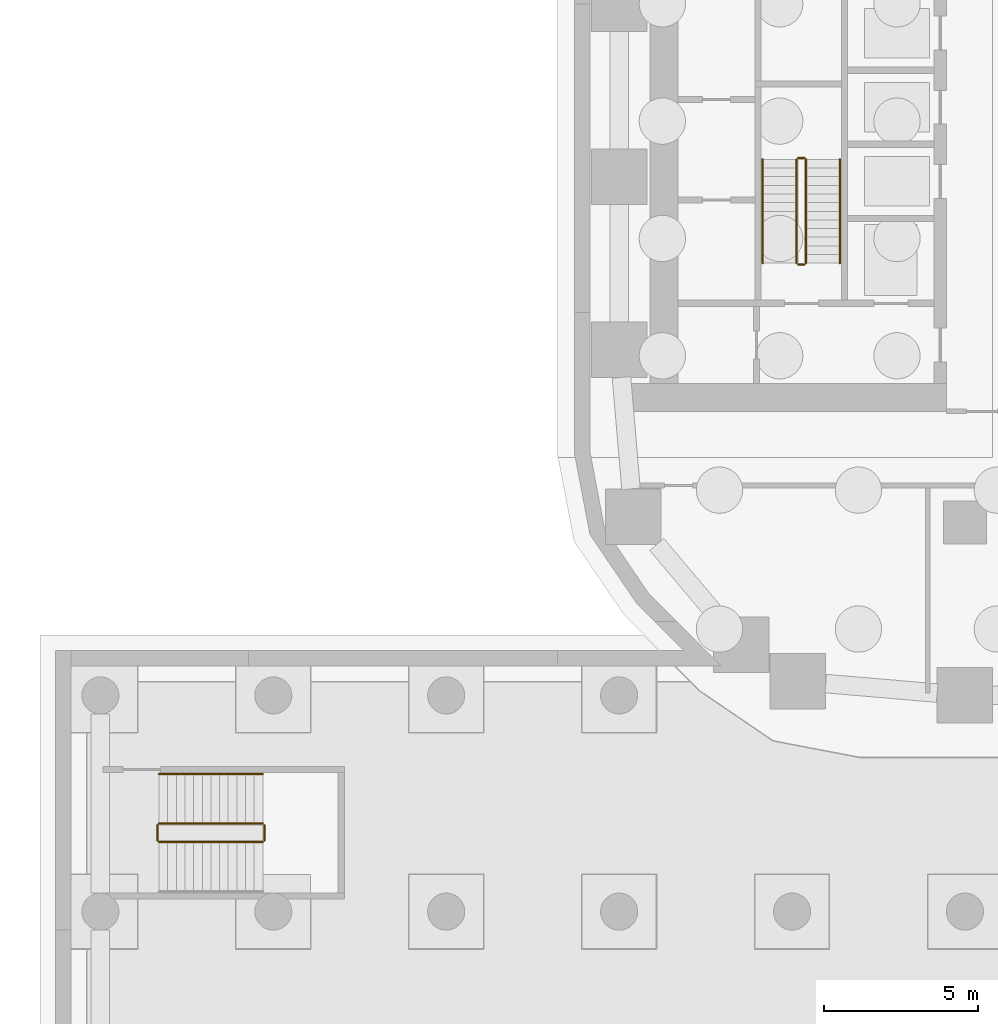
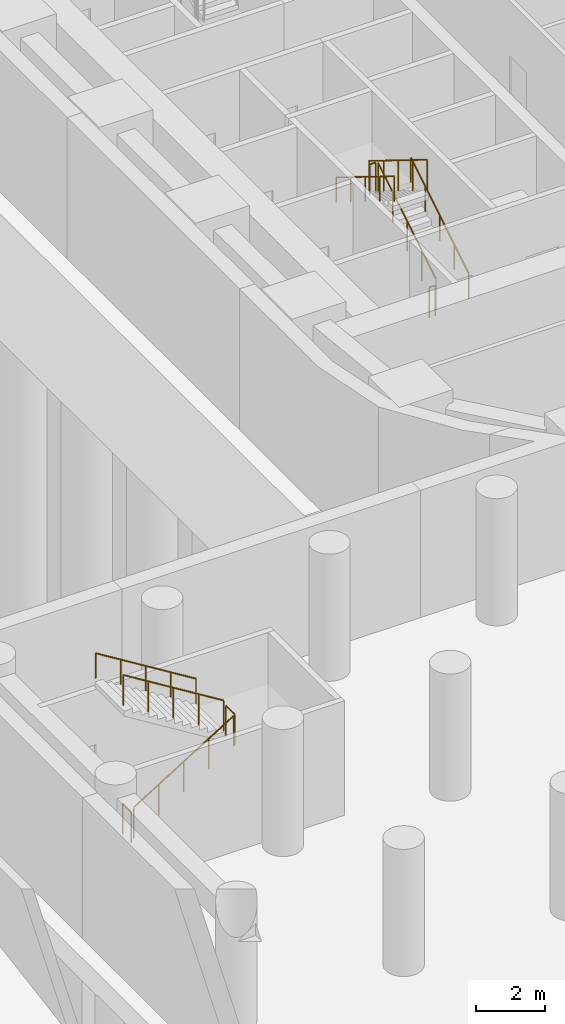
# One storey, part 19 of 23: 11 railings.
"""IFC4 building model written with IfcOpenShell, lengths in metres."""

from ifc_helpers import new_model, si_unit, direction, frame, origin, origin_2d, place, context, subcontext, project, spatial, circle, extrude, material, type_object, element, save


model = new_model("IFC4")

# Units and contexts
model_context = context("Model", 3, precision=1e-05, world=origin(), true_north=direction((0.0, 1.0)))
body_context = subcontext(model_context, "Body", "Model", "MODEL_VIEW")
ifc_project = project(units=[si_unit("LENGTHUNIT", "METRE"), si_unit("AREAUNIT", "SQUARE_METRE"), si_unit("VOLUMEUNIT", "CUBIC_METRE"), si_unit("PLANEANGLEUNIT", "RADIAN"), si_unit("MASSUNIT", "GRAM", prefix="KILO")], contexts=[model_context])

# Site, building, storey
site_placement = place(None, origin())
site = spatial("IfcSite", under=ifc_project, at=site_placement, CompositionType="ELEMENT")
building_placement = place(site_placement, origin())
building = spatial("IfcBuilding", under=site, at=building_placement, Name="Kiln Ring Residences", CompositionType="ELEMENT")
storey_placement = place(building_placement, frame((0.0, 0.0, -4.5)))
storey = spatial("IfcBuildingStorey", under=building, at=storey_placement, Name="B1", CompositionType="ELEMENT", Elevation=-4.5)

# Railings
ifc_material_1 = material(Name="Stainless steel", Category="steel")
railing_type_1 = type_object("IfcRailingType", Name="CORE-STAIR-GUARD", PredefinedType="GUARDRAIL", material=ifc_material_1)
railing_1_placement = place(storey_placement, frame((-21.949951171875, -8.39990234375, 0.173095703125)))
element("IfcRailing", 1, at=railing_1_placement, inside=storey, type_object=railing_type_1, Name="B1 W-STS stair guard 1", PredefinedType="GUARDRAIL", context=body_context, shape_type="SweptSolid", body=[
    extrude(circle(Radius=0.02392578125, at=origin_2d()), frame((0.0, 0.0, 1.076171875), z_axis=(0.0, 0.850606129759, 0.525803396734), x_axis=(-1.0, 0.0, 0.0)), (0.0, 0.0, 1.0), 3.949951171875),
    extrude(circle(Radius=0.02099609375, at=origin_2d()), origin(), (0.0, 0.0, 1.0), 1.052001953125),
    extrude(circle(Radius=0.02099609375, at=origin_2d()), frame((0.0, 0.83984375, 0.519287109375)), (0.0, 0.0, 1.0), 1.052001953125),
    extrude(circle(Radius=0.02099609375, at=origin_2d()), frame((0.0, 1.679931640625, 1.03857421875)), (0.0, 0.0, 1.0), 1.052001953125),
    extrude(circle(Radius=0.02099609375, at=origin_2d()), frame((0.0, 2.52001953125, 1.5576171875)), (0.0, 0.0, 1.0), 1.052001953125),
    extrude(circle(Radius=0.02099609375, at=origin_2d()), frame((0.0, 3.35986328125, 2.076904296875)), (0.0, 0.0, 1.0), 1.052001953125),
])
railing_2_placement = place(storey_placement, frame((-22.0, -4.989990234375, 2.25)))
element("IfcRailing", 2, at=railing_2_placement, inside=storey, type_object=railing_type_1, Name="B1 W-STS stair guard 2", PredefinedType="GUARDRAIL", context=body_context, shape_type="SweptSolid", body=[
    extrude(circle(Radius=0.02392578125, at=origin_2d()), frame((0.0, 0.0, 1.076171875), z_axis=(-1.0, 0.0, 0.0), x_axis=(0.0, -1.0, 0.0)), (0.0, 0.0, 1.0), 0.199951171875),
    extrude(circle(Radius=0.02099609375, at=origin_2d()), origin(), (0.0, 0.0, 1.0), 1.052001953125),
    extrude(circle(Radius=0.02099609375, at=origin_2d()), frame((-0.199951171875, 0.0, 0.0)), (0.0, 0.0, 1.0), 1.052001953125),
])
railing_3_placement = place(storey_placement, frame((-22.25, -5.0400390625, 2.423095703125)))
element("IfcRailing", 3, at=railing_3_placement, inside=storey, type_object=railing_type_1, Name="B1 W-STS stair guard 3", PredefinedType="GUARDRAIL", context=body_context, shape_type="SweptSolid", body=[
    extrude(circle(Radius=0.02392578125, at=origin_2d()), frame((0.0, 0.0, 1.076171875), z_axis=(0.0, -0.850606129759, 0.525803396734), x_axis=(1.0, 0.0, 0.0)), (0.0, 0.0, 1.0), 3.949951171875),
    extrude(circle(Radius=0.02099609375, at=origin_2d()), origin(), (0.0, 0.0, 1.0), 1.052001953125),
    extrude(circle(Radius=0.02099609375, at=origin_2d()), frame((0.0, -0.83984375, 0.519287109375)), (0.0, 0.0, 1.0), 1.052001953125),
    extrude(circle(Radius=0.02099609375, at=origin_2d()), frame((0.0, -1.679931640625, 1.03857421875)), (0.0, 0.0, 1.0), 1.052001953125),
    extrude(circle(Radius=0.02099609375, at=origin_2d()), frame((0.0, -2.52001953125, 1.5576171875)), (0.0, 0.0, 1.0), 1.052001953125),
    extrude(circle(Radius=0.02099609375, at=origin_2d()), frame((0.0, -3.35986328125, 2.076904296875)), (0.0, 0.0, 1.0), 1.052001953125),
])
railing_4_placement = place(storey_placement, frame((-22.0, -8.449951171875, 0.0)))
element("IfcRailing", 4, at=railing_4_placement, inside=storey, type_object=railing_type_1, Name="B1 W-STS stair guard 4", PredefinedType="GUARDRAIL", context=body_context, shape_type="SweptSolid", body=[
    extrude(circle(Radius=0.02392578125, at=origin_2d()), frame((0.0, 0.0, 1.076171875), z_axis=(-1.0, 0.0, 0.0), x_axis=(0.0, -1.0, 0.0)), (0.0, 0.0, 1.0), 0.199951171875),
    extrude(circle(Radius=0.02099609375, at=origin_2d()), origin(), (0.0, 0.0, 1.0), 1.052001953125),
    extrude(circle(Radius=0.02099609375, at=origin_2d()), frame((-0.199951171875, 0.0, 0.0)), (0.0, 0.0, 1.0), 1.052001953125),
])
ifc_material_2 = material(Name="Stainless steel", Category="steel")
railing_type_2 = type_object("IfcRailingType", Name="CORE-STAIR-HANDRAIL", PredefinedType="HANDRAIL", material=ifc_material_2)
railing_5_placement = place(storey_placement, frame((-20.85009765625, -8.39990234375, 0.173095703125)))
element("IfcRailing", 5, at=railing_5_placement, inside=storey, type_object=railing_type_2, Name="B1 W-STS stair handrail 1", PredefinedType="HANDRAIL", context=body_context, shape_type="SweptSolid", body=[
    extrude(circle(Radius=0.02392578125, at=origin_2d()), frame((0.0, 0.0, 0.8759765625), z_axis=(0.0, 0.850606129759, 0.525803396734), x_axis=(-1.0, 0.0, 0.0)), (0.0, 0.0, 1.0), 3.949951171875),
    extrude(circle(Radius=0.02099609375, at=origin_2d()), origin(), (0.0, 0.0, 1.0), 0.851806640625),
    extrude(circle(Radius=0.02099609375, at=origin_2d()), frame((0.0, 0.83984375, 0.519287109375)), (0.0, 0.0, 1.0), 0.851806640625),
    extrude(circle(Radius=0.02099609375, at=origin_2d()), frame((0.0, 1.679931640625, 1.03857421875)), (0.0, 0.0, 1.0), 0.851806640625),
    extrude(circle(Radius=0.02099609375, at=origin_2d()), frame((0.0, 2.52001953125, 1.5576171875)), (0.0, 0.0, 1.0), 0.851806640625),
    extrude(circle(Radius=0.02099609375, at=origin_2d()), frame((0.0, 3.35986328125, 2.076904296875)), (0.0, 0.0, 1.0), 0.851806640625),
])
railing_6_placement = place(storey_placement, frame((-23.35009765625, -5.0400390625, 2.423095703125)))
element("IfcRailing", 6, at=railing_6_placement, inside=storey, type_object=railing_type_2, Name="B1 W-STS stair handrail 2", PredefinedType="HANDRAIL", context=body_context, shape_type="SweptSolid", body=[
    extrude(circle(Radius=0.02392578125, at=origin_2d()), frame((0.0, 0.0, 0.8759765625), z_axis=(0.0, -0.850606129759, 0.525803396734), x_axis=(1.0, 0.0, 0.0)), (0.0, 0.0, 1.0), 3.949951171875),
    extrude(circle(Radius=0.02099609375, at=origin_2d()), origin(), (0.0, 0.0, 1.0), 0.851806640625),
    extrude(circle(Radius=0.02099609375, at=origin_2d()), frame((0.0, -0.83984375, 0.519287109375)), (0.0, 0.0, 1.0), 0.851806640625),
    extrude(circle(Radius=0.02099609375, at=origin_2d()), frame((0.0, -1.679931640625, 1.03857421875)), (0.0, 0.0, 1.0), 0.851806640625),
    extrude(circle(Radius=0.02099609375, at=origin_2d()), frame((0.0, -2.52001953125, 1.5576171875)), (0.0, 0.0, 1.0), 0.851806640625),
    extrude(circle(Radius=0.02099609375, at=origin_2d()), frame((0.0, -3.35986328125, 2.076904296875)), (0.0, 0.0, 1.0), 0.851806640625),
])
ifc_material_3 = material(Name="Stainless steel", Category="steel")
railing_type_3 = type_object("IfcRailingType", Name="PODIUM-STAIR-GUARD", PredefinedType="GUARDRAIL", material=ifc_material_3)
railing_7_placement = place(storey_placement, frame((-42.89990234375, -27.14990234375, 0.173095703125)))
element("IfcRailing", 7, at=railing_7_placement, inside=storey, type_object=railing_type_3, Name="B1 PS-W stair guard 1", PredefinedType="GUARDRAIL", context=body_context, shape_type="SweptSolid", body=[
    extrude(circle(Radius=0.02392578125, at=origin_2d()), frame((0.0, 0.0, 1.076171875), z_axis=(0.850606129759, 0.0, 0.525803396734), x_axis=(0.0, 1.0, 0.0)), (0.0, 0.0, 1.0), 3.949951171875),
    extrude(circle(Radius=0.02099609375, at=origin_2d()), origin(), (0.0, 0.0, 1.0), 1.052001953125),
    extrude(circle(Radius=0.02099609375, at=origin_2d()), frame((0.83984375, 0.0, 0.519287109375)), (0.0, 0.0, 1.0), 1.052001953125),
    extrude(circle(Radius=0.02099609375, at=origin_2d()), frame((1.679931640625, 0.0, 1.03857421875)), (0.0, 0.0, 1.0), 1.052001953125),
    extrude(circle(Radius=0.02099609375, at=origin_2d()), frame((2.52001953125, 0.0, 1.5576171875)), (0.0, 0.0, 1.0), 1.052001953125),
    extrude(circle(Radius=0.02099609375, at=origin_2d()), frame((3.35986328125, 0.0, 2.076904296875)), (0.0, 0.0, 1.0), 1.052001953125),
])
railing_8_placement = place(storey_placement, frame((-39.489990234375, -27.10009765625, 2.25)))
element("IfcRailing", 8, at=railing_8_placement, inside=storey, type_object=railing_type_3, Name="B1 PS-W stair guard 2", PredefinedType="GUARDRAIL", context=body_context, shape_type="SweptSolid", body=[
    extrude(circle(Radius=0.02392578125, at=origin_2d()), frame((0.0, 0.0, 1.076171875), z_axis=(0.0, 1.0, 0.0), x_axis=(-1.0, 0.0, 0.0)), (0.0, 0.0, 1.0), 0.5),
    extrude(circle(Radius=0.02099609375, at=origin_2d()), origin(), (0.0, 0.0, 1.0), 1.052001953125),
    extrude(circle(Radius=0.02099609375, at=origin_2d()), frame((0.0, 0.5, 0.0)), (0.0, 0.0, 1.0), 1.052001953125),
])
railing_9_placement = place(storey_placement, frame((-39.5400390625, -26.550048828125, 2.423095703125)))
element("IfcRailing", 9, at=railing_9_placement, inside=storey, type_object=railing_type_3, Name="B1 PS-W stair guard 3", PredefinedType="GUARDRAIL", context=body_context, shape_type="SweptSolid", body=[
    extrude(circle(Radius=0.02392578125, at=origin_2d()), frame((0.0, 0.0, 1.076171875), z_axis=(-0.850606129759, 0.0, 0.525803396734), x_axis=(0.0, -1.0, 0.0)), (0.0, 0.0, 1.0), 3.949951171875),
    extrude(circle(Radius=0.02099609375, at=origin_2d()), origin(), (0.0, 0.0, 1.0), 1.052001953125),
    extrude(circle(Radius=0.02099609375, at=origin_2d()), frame((-0.83984375, 0.0, 0.519287109375)), (0.0, 0.0, 1.0), 1.052001953125),
    extrude(circle(Radius=0.02099609375, at=origin_2d()), frame((-1.679931640625, 0.0, 1.03857421875)), (0.0, 0.0, 1.0), 1.052001953125),
    extrude(circle(Radius=0.02099609375, at=origin_2d()), frame((-2.52001953125, 0.0, 1.5576171875)), (0.0, 0.0, 1.0), 1.052001953125),
    extrude(circle(Radius=0.02099609375, at=origin_2d()), frame((-3.35986328125, 0.0, 2.076904296875)), (0.0, 0.0, 1.0), 1.052001953125),
])
railing_10_placement = place(storey_placement, frame((-42.949951171875, -27.10009765625, 0.0)))
element("IfcRailing", 10, at=railing_10_placement, inside=storey, type_object=railing_type_3, Name="B1 PS-W stair guard 4", PredefinedType="GUARDRAIL", context=body_context, shape_type="SweptSolid", body=[
    extrude(circle(Radius=0.02392578125, at=origin_2d()), frame((0.0, 0.0, 1.076171875), z_axis=(0.0, 1.0, 0.0), x_axis=(-1.0, 0.0, 0.0)), (0.0, 0.0, 1.0), 0.5),
    extrude(circle(Radius=0.02099609375, at=origin_2d()), origin(), (0.0, 0.0, 1.0), 1.052001953125),
    extrude(circle(Radius=0.02099609375, at=origin_2d()), frame((0.0, 0.5, 0.0)), (0.0, 0.0, 1.0), 1.052001953125),
])
ifc_material_4 = material(Name="Stainless steel", Category="steel")
railing_type_4 = type_object("IfcRailingType", Name="PODIUM-STAIR-HANDRAIL", PredefinedType="HANDRAIL", material=ifc_material_4)
railing_11_placement = place(storey_placement, frame((-39.5400390625, -24.949951171875, 2.423095703125)))
element("IfcRailing", 11, at=railing_11_placement, inside=storey, type_object=railing_type_4, Name="B1 PS-W stair handrail 2", PredefinedType="HANDRAIL", context=body_context, shape_type="SweptSolid", body=[
    extrude(circle(Radius=0.02392578125, at=origin_2d()), frame((0.0, 0.0, 0.8759765625), z_axis=(-0.850606129759, 0.0, 0.525803396734), x_axis=(0.0, -1.0, 0.0)), (0.0, 0.0, 1.0), 3.949951171875),
    extrude(circle(Radius=0.02099609375, at=origin_2d()), origin(), (0.0, 0.0, 1.0), 0.851806640625),
    extrude(circle(Radius=0.02099609375, at=origin_2d()), frame((-0.83984375, 0.0, 0.519287109375)), (0.0, 0.0, 1.0), 0.851806640625),
    extrude(circle(Radius=0.02099609375, at=origin_2d()), frame((-1.679931640625, 0.0, 1.03857421875)), (0.0, 0.0, 1.0), 0.851806640625),
    extrude(circle(Radius=0.02099609375, at=origin_2d()), frame((-2.52001953125, 0.0, 1.5576171875)), (0.0, 0.0, 1.0), 0.851806640625),
    extrude(circle(Radius=0.02099609375, at=origin_2d()), frame((-3.35986328125, 0.0, 2.076904296875)), (0.0, 0.0, 1.0), 0.851806640625),
])

save(model, "model.ifc")
